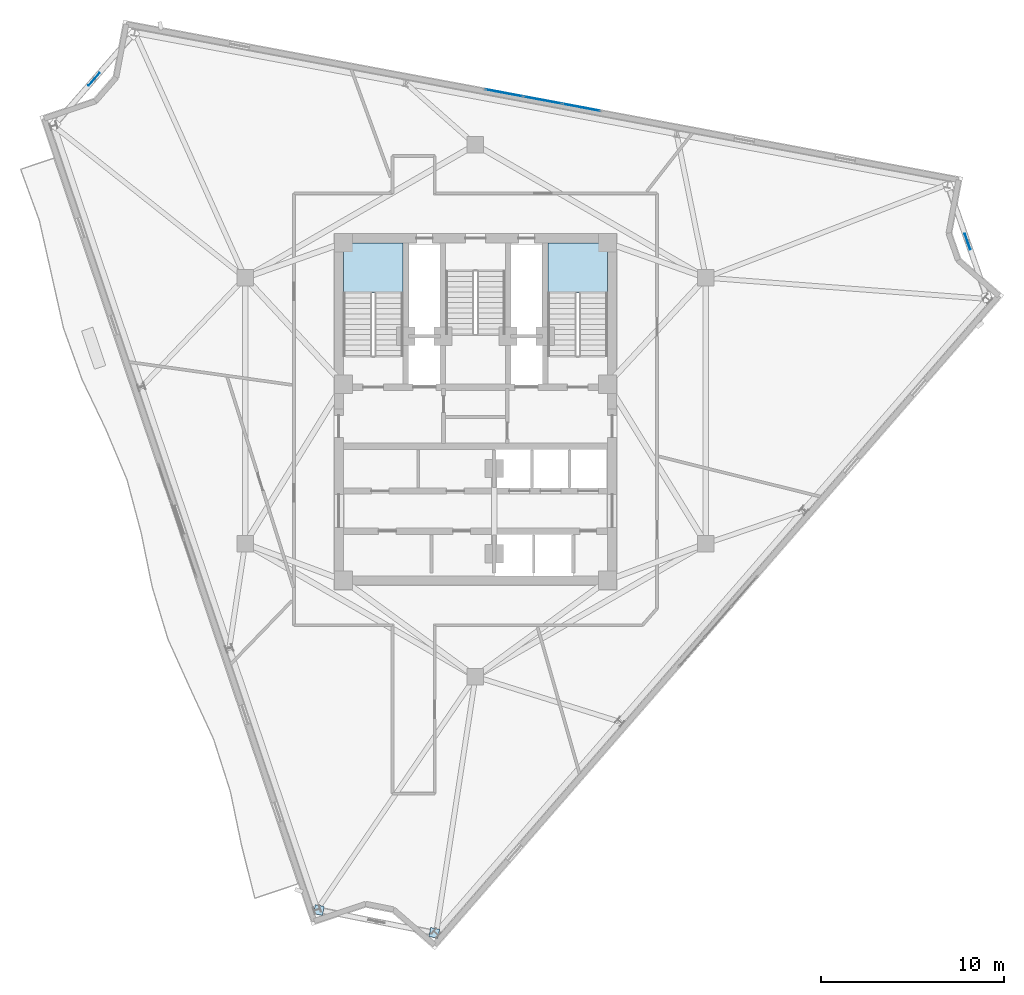
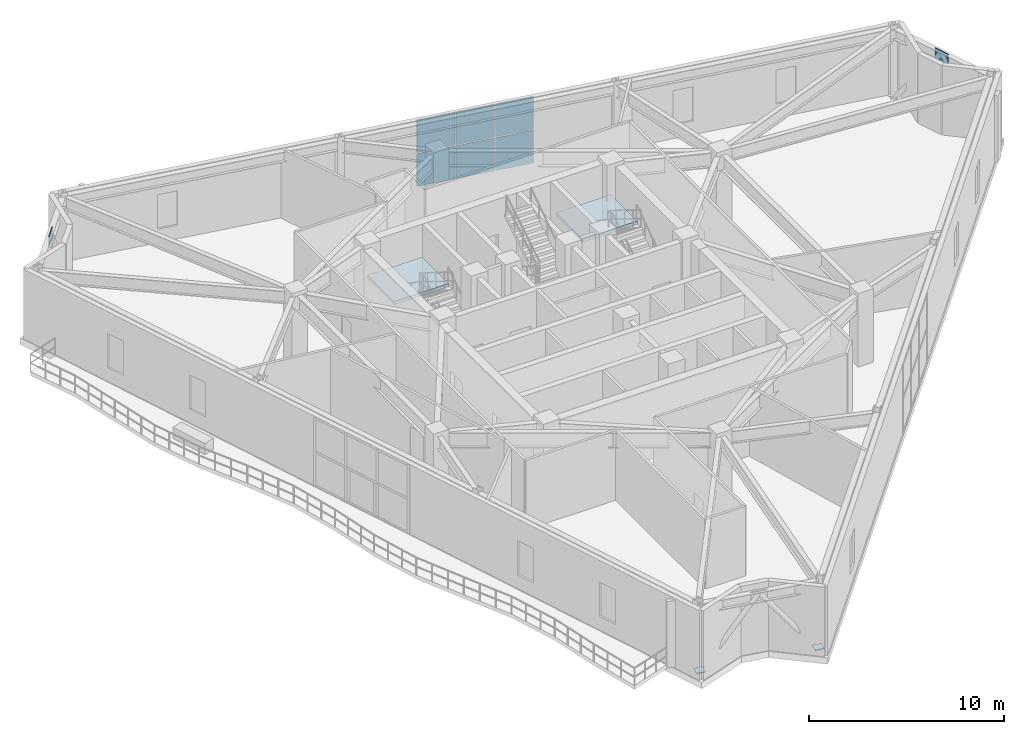
# One storey, part 9 of 15: 10 plates, 2 slabs, 3 elements without a shape of their own.
"""IFC4 building model written with IfcOpenShell, lengths in metres."""

from ifc_helpers import new_model, si_unit, direction, frame, origin, origin_2d, place, context, subcontext, project, spatial, polyline, rectangle, outline, extrude, material, layer, layer_set, type_object, element, aggregate, save


model = new_model("IFC4")

# Units and contexts
model_context = context("Model", 3, precision=1e-05, world=origin(), true_north=direction((0.0, 1.0)))
body_context = subcontext(model_context, "Body", "Model", "MODEL_VIEW")
ifc_project = project(units=[si_unit("LENGTHUNIT", "METRE"), si_unit("AREAUNIT", "SQUARE_METRE"), si_unit("VOLUMEUNIT", "CUBIC_METRE"), si_unit("PLANEANGLEUNIT", "RADIAN"), si_unit("MASSUNIT", "GRAM", prefix="KILO")], contexts=[model_context])

# Site, building, storey
site_placement = place(None, origin())
site = spatial("IfcSite", under=ifc_project, at=site_placement, CompositionType="ELEMENT")
building_placement = place(site_placement, origin())
building = spatial("IfcBuilding", under=site, at=building_placement, Name="Apsidion Concourse Tower", CompositionType="ELEMENT")
storey_placement = place(building_placement, frame((0.0, 0.0, 260.89990234375)))
storey = spatial("IfcBuildingStorey", under=building, at=storey_placement, Name="L61", CompositionType="ELEMENT", Elevation=260.89990234375)

# Curtain wall, plates
ifc_material_1 = material(Name="Insulated laminated low-E glass", Category="glass")
ifc_layer_1 = layer(ifc_material_1, 0.2099609375)
ifc_layer_set_1 = layer_set([ifc_layer_1], Name="Insulated laminated low-E glass")
curtain_wall_type = type_object("IfcCurtainWallType", Name="CW-SYS-03", PredefinedType="NOTDEFINED", material=ifc_layer_set_1)
curtain_wall_placement = place(storey_placement, origin())
curtain_wall = element("IfcCurtainWall", 1, at=curtain_wall_placement, inside=storey, type_object=curtain_wall_type, Name="L61 Sky Lobby Curtain Wall 1", PredefinedType="NOTDEFINED")
ifc_layer_2 = layer(ifc_material_1, 0.031982421875)
ifc_layer_set_2 = layer_set([ifc_layer_2], Name="Insulated laminated low-E glass")
plate_type_1 = type_object("IfcPlateType", Name="CWP-GLZ-32", PredefinedType="CURTAIN_PANEL", material=ifc_layer_set_2)
plate_1_placement = place(storey_placement, frame((1.56494140625, 17.3232421875, 0.06494140625), z_axis=(0.0, 0.0, 1.0), x_axis=(0.982948126164, -0.18388306412, 0.0)))
plate_1 = element("IfcPlate", 2, at=plate_1_placement, type_object=plate_type_1, Name="CW-03 panel 1.1", PredefinedType="CURTAIN_PANEL", context=body_context, shape_type="SweptSolid", body=[
    extrude(rectangle(XDim=2.056884765625, YDim=0.031982421875, at=origin_2d()), origin(), (0.0, 0.0, 1.0), 2.052490234375),
])
plate_2_placement = place(storey_placement, frame((1.56494140625, 17.3232421875, 2.1826171875), z_axis=(0.0, 0.0, 1.0), x_axis=(0.982948126164, -0.18388306412, 0.0)))
plate_2 = element("IfcPlate", 3, at=plate_2_placement, type_object=plate_type_1, Name="CW-03 panel 1.2", PredefinedType="CURTAIN_PANEL", context=body_context, shape_type="SweptSolid", body=[
    extrude(rectangle(XDim=2.056884765625, YDim=0.031982421875, at=origin_2d()), origin(), (0.0, 0.0, 1.0), 2.052490234375),
])
plate_3_placement = place(storey_placement, frame((3.66650390625, 16.93017578125, 0.06494140625), z_axis=(0.0, 0.0, 1.0), x_axis=(0.982948126164, -0.18388306412, 0.0)))
plate_3 = element("IfcPlate", 4, at=plate_3_placement, type_object=plate_type_1, Name="CW-03 panel 2.1", PredefinedType="CURTAIN_PANEL", context=body_context, shape_type="SweptSolid", body=[
    extrude(rectangle(XDim=2.08935546875, YDim=0.031982421875, at=origin_2d()), origin(), (0.0, 0.0, 1.0), 2.052490234375),
])
plate_4_placement = place(storey_placement, frame((3.66650390625, 16.93017578125, 2.1826171875), z_axis=(0.0, 0.0, 1.0), x_axis=(0.982948126164, -0.18388306412, 0.0)))
plate_4 = element("IfcPlate", 5, at=plate_4_placement, type_object=plate_type_1, Name="CW-03 panel 2.2", PredefinedType="CURTAIN_PANEL", context=body_context, shape_type="SweptSolid", body=[
    extrude(rectangle(XDim=2.08935546875, YDim=0.031982421875, at=origin_2d()), origin(), (0.0, 0.0, 1.0), 2.052490234375),
])
plate_5_placement = place(storey_placement, frame((5.76806640625, 16.537109375, 0.06494140625), z_axis=(0.0, 0.0, 1.0), x_axis=(0.982948126164, -0.18388306412, 0.0)))
plate_5 = element("IfcPlate", 6, at=plate_5_placement, type_object=plate_type_1, Name="CW-03 panel 3.1", PredefinedType="CURTAIN_PANEL", context=body_context, shape_type="SweptSolid", body=[
    extrude(rectangle(XDim=2.056884765625, YDim=0.031982421875, at=origin_2d()), origin(), (0.0, 0.0, 1.0), 2.052490234375),
])
plate_6_placement = place(storey_placement, frame((5.76806640625, 16.537109375, 2.1826171875), z_axis=(0.0, 0.0, 1.0), x_axis=(0.982948126164, -0.18388306412, 0.0)))
plate_6 = element("IfcPlate", 7, at=plate_6_placement, type_object=plate_type_1, Name="CW-03 panel 3.2", PredefinedType="CURTAIN_PANEL", context=body_context, shape_type="SweptSolid", body=[
    extrude(rectangle(XDim=2.056884765625, YDim=0.031982421875, at=origin_2d()), origin(), (0.0, 0.0, 1.0), 2.052490234375),
])
aggregate(curtain_wall, [plate_1, plate_2, plate_3, plate_4, plate_5, plate_6])

# Plates
ifc_material_2 = material(Name="Structural steel ASTM A572 Grade 50", Category="steel")
ifc_layer_3 = layer(ifc_material_2, 0.034912109375)
ifc_layer_set_3 = layer_set([ifc_layer_3], Name="Structural steel ASTM A572 Grade 50")
plate_type_2 = type_object("IfcPlateType", Name="PL-ENDCAP-35", PredefinedType="USERDEFINED", material=ifc_layer_set_3)
for number, where, z_axis, x_axis, name in (
    (8, (-8.538330078125, -27.223876953125, 0.1025390625), (0.0, 0.0, 1.0), (-0.980921240119, 0.194405557233, 0.0), "L61 Chevron Base End Plate KNB-1-1"),
    (9, (-2.244873046875, -28.47119140625, 0.1025390625), (0.0, 0.0, 1.0), (-0.980921240119, 0.194405557233, 0.0), "L61 Chevron Base End Plate KNB-1-2"),
):
    element("IfcPlate", number, at=place(storey_placement, frame(where, z_axis=z_axis, x_axis=x_axis)), inside=storey, type_object=plate_type_2, Name=name, ObjectType="FLANGE_PLATE", PredefinedType="USERDEFINED", context=body_context, shape_type="SweptSolid", body=[
        extrude(rectangle(XDim=0.5, YDim=0.5, at=origin_2d()), origin(), (0.0, 0.0, 1.0), 0.034912109375),
    ])
ifc_layer_4 = layer(ifc_material_2, 0.0400390625)
ifc_layer_set_4 = layer_set([ifc_layer_4], Name="Structural steel ASTM A572 Grade 50")
plate_type_3 = type_object("IfcPlateType", Name="PL-GUSSET-40", PredefinedType="SHEET", material=ifc_layer_set_4)
for number, where, z_axis, x_axis, name in (
    (10, (26.826171875, 9.214599609375, 3.77001953125), (0.0, 0.0, 1.0), (-0.329031466499, 0.944318957796, 0.0), "L61 Chevron Apex Node Gusset Plate KNA-2"),
    (11, (-20.793212890625, 18.0751953125, 3.77001953125), (0.0, 0.0, 1.0), (0.656059028991, 0.754709580223, 0.0), "L61 Chevron Apex Node Gusset Plate KNA-3"),
):
    element("IfcPlate", number, at=place(storey_placement, frame(where, z_axis=z_axis, x_axis=x_axis)), inside=storey, type_object=plate_type_3, Name=name, PredefinedType="SHEET", context=body_context, shape_type="SweptSolid", body=[
        extrude(rectangle(XDim=0.89990234375, YDim=0.0400390625, at=origin_2d()), origin(), (0.0, 0.0, 1.0), 0.60009765625),
    ])

# Stair, slab
ifc_material_3 = material(Name="Precast concrete C40/50", Category="concrete")
stair_type = type_object("IfcStairType", Name="ST-DL-1550", PredefinedType="HALF_TURN_STAIR", material=ifc_material_3)
stair_1_placement = place(storey_placement, origin())
stair_1 = element("IfcStair", 12, at=stair_1_placement, inside=storey, type_object=stair_type, Name="L61 Protected Core Exit Stair ST1", PredefinedType="HALF_TURN_STAIR")
ifc_material_4 = material(Name="Concrete C50/60", Category="concrete")
ifc_layer_5 = layer(ifc_material_4, 0.199951171875)
ifc_layer_set_5 = layer_set([ifc_layer_5], Name="Concrete C50/60")
slab_type = type_object("IfcSlabType", Name="SL-ST-LAND-200", PredefinedType="LANDING", material=ifc_layer_set_5)
slab_1_placement = place(storey_placement, frame((0.0, 0.0, 2.10009765625)))
slab_1 = element("IfcSlab", 13, at=slab_1_placement, type_object=slab_type, Name="ST1 landing 1", PredefinedType="LANDING", context=body_context, shape_type="SweptSolid", body=[
    extrude(outline(polyline([(-3.949951171875, 6.419921875), (-3.949951171875, 9.14990234375), (-7.199951171875, 9.14990234375), (-7.199951171875, 6.419921875), (-3.949951171875, 6.419921875)])), origin(), (0.0, 0.0, 1.0), 0.199951171875),
])
aggregate(stair_1, [slab_1])

stair_2_placement = place(storey_placement, origin())
stair_2 = element("IfcStair", 14, at=stair_2_placement, inside=storey, type_object=stair_type, Name="L61 Protected Core Exit Stair ST2", PredefinedType="HALF_TURN_STAIR")
slab_2_placement = place(storey_placement, frame((0.0, 0.0, 2.10009765625)))
slab_2 = element("IfcSlab", 15, at=slab_2_placement, type_object=slab_type, Name="ST2 landing 1", PredefinedType="LANDING", context=body_context, shape_type="SweptSolid", body=[
    extrude(outline(polyline([(7.199951171875, 6.419921875), (7.199951171875, 9.14990234375), (3.949951171875, 9.14990234375), (3.949951171875, 6.419921875), (7.199951171875, 6.419921875)])), origin(), (0.0, 0.0, 1.0), 0.199951171875),
])
aggregate(stair_2, [slab_2])

save(model, "model.ifc")
